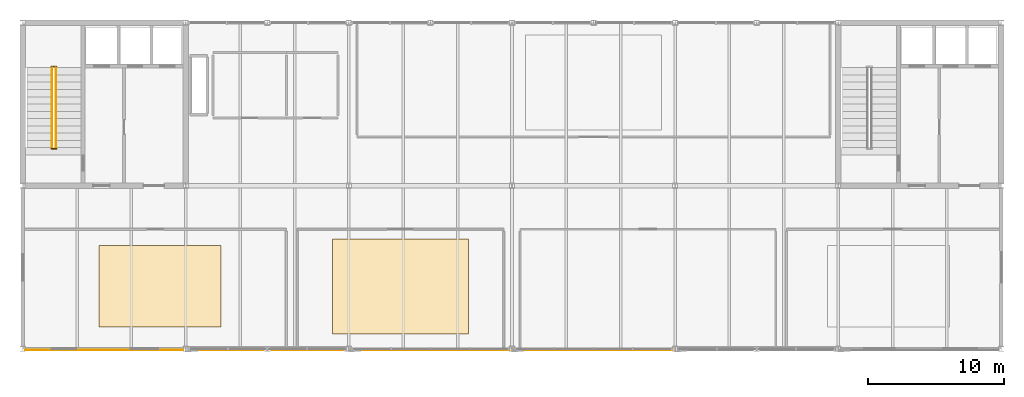
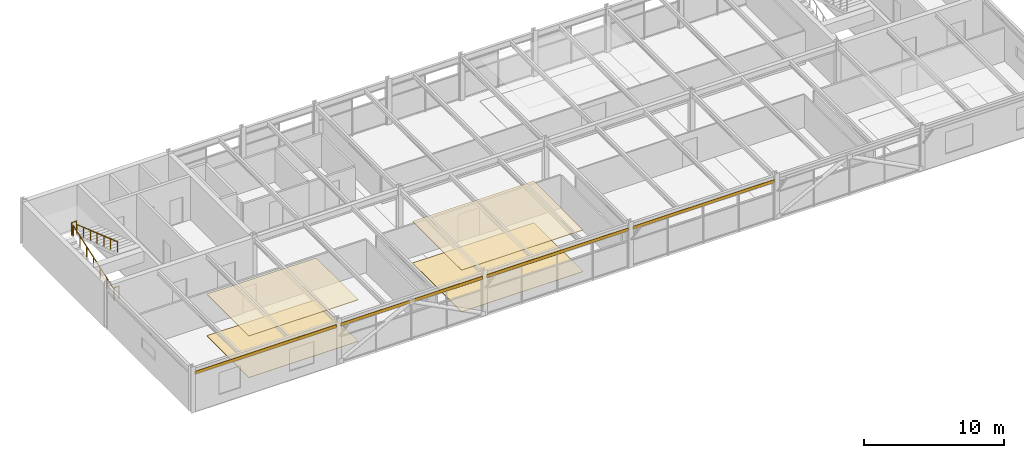
# One storey, part 22 of 23: 4 coverings, 4 railings, 4 shading devices.
"""IFC4 building model written with IfcOpenShell, lengths in metres."""

from ifc_helpers import new_model, si_unit, direction, frame, origin, origin_2d, place, context, subcontext, project, spatial, rectangle, circle, extrude, material, layer, layer_set, type_object, element, save


model = new_model("IFC4")

# Units and contexts
model_context = context("Model", 3, precision=1e-05, world=origin(), true_north=direction((0.0, 1.0)))
body_context = subcontext(model_context, "Body", "Model", "MODEL_VIEW")
ifc_project = project(units=[si_unit("LENGTHUNIT", "METRE"), si_unit("AREAUNIT", "SQUARE_METRE"), si_unit("VOLUMEUNIT", "CUBIC_METRE"), si_unit("PLANEANGLEUNIT", "RADIAN"), si_unit("MASSUNIT", "GRAM", prefix="KILO")], contexts=[model_context])

# Site, building, storey
site_placement = place(None, origin())
site = spatial("IfcSite", under=ifc_project, at=site_placement, CompositionType="ELEMENT")
building_placement = place(site_placement, origin())
building = spatial("IfcBuilding", under=site, at=building_placement, Name="Girod Span Mobility Hub", CompositionType="ELEMENT")
storey_placement = place(building_placement, frame((0.0, 0.0, 65.60009765625)))
storey = spatial("IfcBuildingStorey", under=building, at=storey_placement, Name="L16", CompositionType="ELEMENT", Elevation=65.60009765625)

# Coverings
ifc_material_1 = material(Name="Perforated Mineral-Fibre Acoustic Ceiling Tile", Category="mineral")
ifc_layer_1 = layer(ifc_material_1, 0.050048828125)
ifc_layer_set_1 = layer_set([ifc_layer_1], Name="Perforated Mineral-Fibre Acoustic Ceiling Tile")
covering_type_1 = type_object("IfcCoveringType", Name="COV-CLG-1000X700", PredefinedType="CEILING", material=ifc_layer_set_1)
covering_1_placement = place(storey_placement, frame((75.800048828125, 49.60009765625, 3.60498046875), z_axis=(0.0, 0.0, 1.0), x_axis=(1.0, 0.0, 0.0)))
element("IfcCovering", 1, at=covering_1_placement, inside=storey, type_object=covering_type_1, Name="Conference Room South L16 Acoustic Ceiling", PredefinedType="CEILING", context=body_context, shape_type="SweptSolid", body=[
    extrude(rectangle(XDim=10.0, YDim=7.0, at=origin_2d()), origin(), (0.0, 0.0, 1.0), 0.050048828125),
])
ifc_material_2 = material(Name="Perforated Mineral-Fibre Acoustic Ceiling Tile", Category="mineral")
ifc_layer_2 = layer(ifc_material_2, 0.044921875)
ifc_layer_set_2 = layer_set([ifc_layer_2], Name="Perforated Mineral-Fibre Acoustic Ceiling Tile")
covering_type_2 = type_object("IfcCoveringType", Name="COV-CLG-900X600", PredefinedType="CEILING", material=ifc_layer_set_2)
covering_2_placement = place(storey_placement, frame((58.10009765625, 49.60009765625, 3.60498046875), z_axis=(0.0, 0.0, 1.0), x_axis=(1.0, 0.0, 0.0)))
element("IfcCovering", 2, at=covering_2_placement, inside=storey, type_object=covering_type_2, Name="Office Suite West L16 Acoustic Ceiling", PredefinedType="CEILING", context=body_context, shape_type="SweptSolid", body=[
    extrude(rectangle(XDim=9.0, YDim=6.0, at=origin_2d()), origin(), (0.0, 0.0, 1.0), 0.044921875),
])
ifc_material_3 = material(Name="Epoxy Terrazzo and Raised Access Flooring", Category="polymer")
ifc_layer_3 = layer(ifc_material_3, 0.02490234375)
ifc_layer_set_3 = layer_set([ifc_layer_3], Name="Epoxy Terrazzo and Raised Access Flooring")
covering_type_3 = type_object("IfcCoveringType", Name="COV-FLR-1000X700", PredefinedType="FLOORING", material=ifc_layer_set_3)
covering_3_placement = place(storey_placement, frame((75.800048828125, 49.60009765625, 0.0), z_axis=(0.0, 0.0, 1.0), x_axis=(1.0, 0.0, 0.0)))
element("IfcCovering", 3, at=covering_3_placement, inside=storey, type_object=covering_type_3, Name="Conference Room South L16 Floor Finish", PredefinedType="FLOORING", context=body_context, shape_type="SweptSolid", body=[
    extrude(rectangle(XDim=10.0, YDim=7.0, at=origin_2d()), origin(), (0.0, 0.0, 1.0), 0.02490234375),
])
ifc_material_4 = material(Name="Epoxy Terrazzo and Raised Access Flooring", Category="polymer")
ifc_layer_4 = layer(ifc_material_4, 0.030029296875)
ifc_layer_set_4 = layer_set([ifc_layer_4], Name="Epoxy Terrazzo and Raised Access Flooring")
covering_type_4 = type_object("IfcCoveringType", Name="COV-FLR-900X600", PredefinedType="FLOORING", material=ifc_layer_set_4)
covering_4_placement = place(storey_placement, frame((58.10009765625, 49.60009765625, 0.0), z_axis=(0.0, 0.0, 1.0), x_axis=(1.0, 0.0, 0.0)))
element("IfcCovering", 4, at=covering_4_placement, inside=storey, type_object=covering_type_4, Name="Office Suite West L16 Floor Finish", PredefinedType="FLOORING", context=body_context, shape_type="SweptSolid", body=[
    extrude(rectangle(XDim=9.0, YDim=6.0, at=origin_2d()), origin(), (0.0, 0.0, 1.0), 0.030029296875),
])

# Railings
ifc_material_5 = material(Name="Painted Galvanised Steel", Category="steel")
ifc_layer_5 = layer(ifc_material_5, 0.06494140625)
ifc_layer_set_5 = layer_set([ifc_layer_5], Name="Painted Galvanised Steel")
railing_type_1 = type_object("IfcRailingType", Name="RL-GRD-1120", PredefinedType="GUARDRAIL", material=ifc_layer_set_5)
for number, where, name in (
    (5, (50.10009765625, 65.77001953125, 2.0), "Stair ST-1 Half-Landing Well Guard L16"),
    (6, (50.10009765625, 59.72998046875, 0.0), "Stair ST-1 Landing Well Guard L16"),
):
    element("IfcRailing", number, at=place(storey_placement, frame(where)), inside=storey, type_object=railing_type_1, Name=name, PredefinedType="GUARDRAIL", context=body_context, shape_type="SweptSolid", body=[
        extrude(circle(Radius=0.02392578125, at=origin_2d()), frame((0.0, 0.0, 1.09619140625), z_axis=(1.0, 0.0, 0.0), x_axis=(0.0, 1.0, 0.0)), (0.0, 0.0, 1.0), 0.39990234375),
        extrude(circle(Radius=0.02099609375, at=origin_2d()), origin(), (0.0, 0.0, 1.0), 1.072021484375),
        extrude(circle(Radius=0.02099609375, at=origin_2d()), frame((0.39990234375, 0.0, 0.0)), (0.0, 0.0, 1.0), 1.072021484375),
    ])
ifc_material_6 = material(Name="Painted Galvanised Steel", Category="steel")
ifc_layer_6 = layer(ifc_material_6, 0.050048828125)
ifc_layer_set_6 = layer_set([ifc_layer_6], Name="Painted Galvanised Steel")
railing_type_2 = type_object("IfcRailingType", Name="RL-HR-920", PredefinedType="HANDRAIL", material=ifc_layer_set_6)
railing_1_placement = place(storey_placement, frame((50.14990234375, 59.860107421875, 0.0)))
element("IfcRailing", 7, at=railing_1_placement, inside=storey, type_object=railing_type_2, Name="Stair ST-1 Flight 1 Handrail L16", PredefinedType="HANDRAIL", context=body_context, shape_type="SweptSolid", body=[
    extrude(circle(Radius=0.02392578125, at=origin_2d()), frame((0.0, 0.0, 0.89599609375), z_axis=(0.0, 0.945021187488, 0.327009105681), x_axis=(-1.0, 0.0, 0.0)), (0.0, 0.0, 1.0), 6.115966796875),
    extrude(circle(Radius=0.02099609375, at=origin_2d()), origin(), (0.0, 0.0, 1.0), 0.871826171875),
    extrude(circle(Radius=0.02099609375, at=origin_2d()), frame((0.0, 0.96337890625, 0.333251953125)), (0.0, 0.0, 1.0), 0.871826171875),
    extrude(circle(Radius=0.02099609375, at=origin_2d()), frame((0.0, 1.926513671875, 0.666748046875)), (0.0, 0.0, 1.0), 0.871826171875),
    extrude(circle(Radius=0.02099609375, at=origin_2d()), frame((0.0, 2.889892578125, 1.0)), (0.0, 0.0, 1.0), 0.871826171875),
    extrude(circle(Radius=0.02099609375, at=origin_2d()), frame((0.0, 3.853271484375, 1.333251953125)), (0.0, 0.0, 1.0), 0.871826171875),
    extrude(circle(Radius=0.02099609375, at=origin_2d()), frame((0.0, 4.81640625, 1.666748046875)), (0.0, 0.0, 1.0), 0.871826171875),
    extrude(circle(Radius=0.02099609375, at=origin_2d()), frame((0.0, 5.77978515625, 2.0)), (0.0, 0.0, 1.0), 0.871826171875),
])
railing_2_placement = place(storey_placement, frame((50.449951171875, 65.639892578125, 2.0)))
element("IfcRailing", 8, at=railing_2_placement, inside=storey, type_object=railing_type_2, Name="Stair ST-1 Flight 2 Handrail L16", PredefinedType="HANDRAIL", context=body_context, shape_type="SweptSolid", body=[
    extrude(circle(Radius=0.02392578125, at=origin_2d()), frame((0.0, 0.0, 0.89599609375), z_axis=(0.0, -0.945021187488, 0.327009105681), x_axis=(1.0, 0.0, 0.0)), (0.0, 0.0, 1.0), 6.115966796875),
    extrude(circle(Radius=0.02099609375, at=origin_2d()), origin(), (0.0, 0.0, 1.0), 0.871826171875),
    extrude(circle(Radius=0.02099609375, at=origin_2d()), frame((0.0, -0.96337890625, 0.333251953125)), (0.0, 0.0, 1.0), 0.871826171875),
    extrude(circle(Radius=0.02099609375, at=origin_2d()), frame((0.0, -1.926513671875, 0.666748046875)), (0.0, 0.0, 1.0), 0.871826171875),
    extrude(circle(Radius=0.02099609375, at=origin_2d()), frame((0.0, -2.889892578125, 1.0)), (0.0, 0.0, 1.0), 0.871826171875),
    extrude(circle(Radius=0.02099609375, at=origin_2d()), frame((0.0, -3.853271484375, 1.333251953125)), (0.0, 0.0, 1.0), 0.871826171875),
    extrude(circle(Radius=0.02099609375, at=origin_2d()), frame((0.0, -4.81640625, 1.666748046875)), (0.0, 0.0, 1.0), 0.871826171875),
    extrude(circle(Radius=0.02099609375, at=origin_2d()), frame((0.0, -5.77978515625, 2.0)), (0.0, 0.0, 1.0), 0.871826171875),
])

# Shading devices
ifc_material_7 = material(Name="Aluminium 6063-T6", Category="aluminium")
ifc_layer_7 = layer(ifc_material_7, 0.0380859375)
ifc_layer_set_7 = layer_set([ifc_layer_7], Name="Aluminium 6063-T6")
shading_device_type = type_object("IfcShadingDeviceType", Name="SHD-SHT-11635X260X38", PredefinedType="SHUTTER", material=ifc_layer_set_7)
for number, where, z_axis, x_axis, name in (
    (9, (54.0, 44.919921875, 3.22607421875), (0.0, 0.0, 1.0), (1.0, 0.0, 0.0), "External Solar Shading Blade 5 L16"),
    (10, (66.0, 44.919921875, 3.22607421875), (0.0, 0.0, 1.0), (1.0, 0.0, 0.0), "External Solar Shading Blade 6 L16"),
    (11, (78.0, 44.919921875, 3.22607421875), (0.0, 0.0, 1.0), (1.0, 0.0, 0.0), "External Solar Shading Blade 7 L16"),
    (12, (90.0, 44.919921875, 3.22607421875), (0.0, 0.0, 1.0), (1.0, 0.0, 0.0), "External Solar Shading Blade 8 L16"),
):
    element("IfcShadingDevice", number, at=place(storey_placement, frame(where, z_axis=z_axis, x_axis=x_axis)), inside=storey, type_object=shading_device_type, Name=name, PredefinedType="SHUTTER", context=body_context, shape_type="SweptSolid", body=[
        extrude(rectangle(XDim=11.635009765625, YDim=0.0380859375, at=origin_2d()), origin(), (0.0, 0.0, 1.0), 0.260009765625),
    ])

save(model, "model.ifc")
